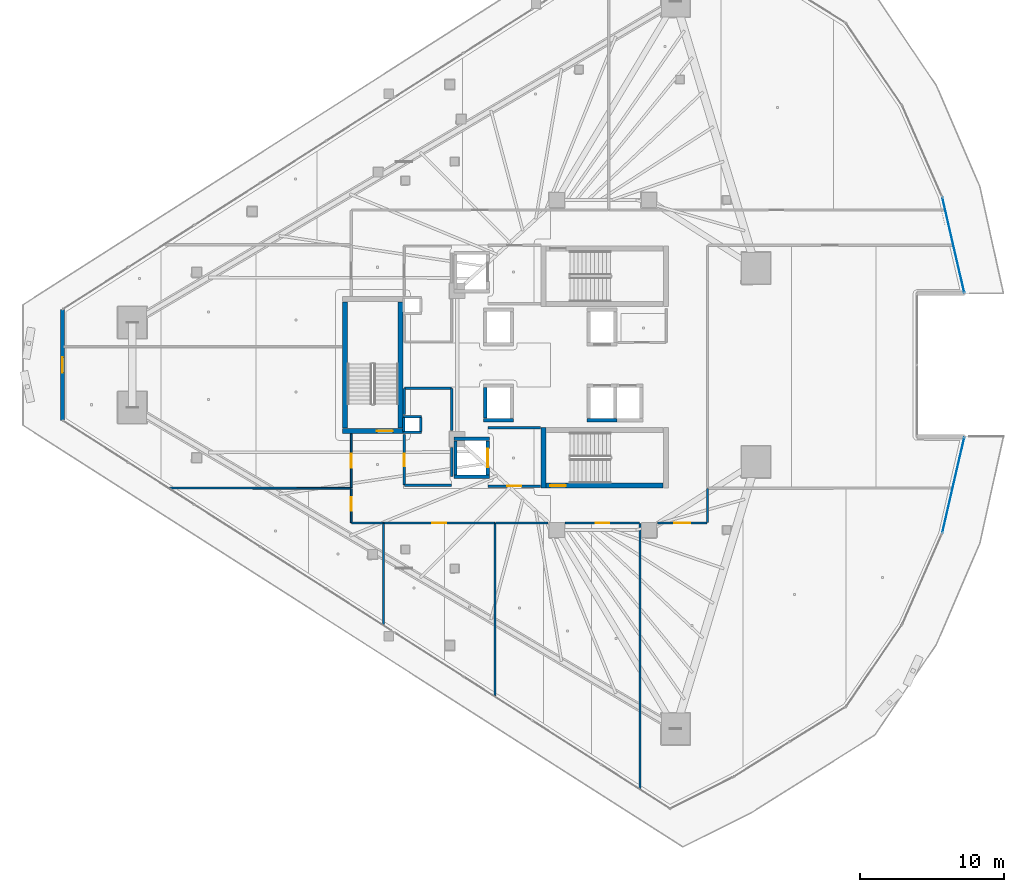
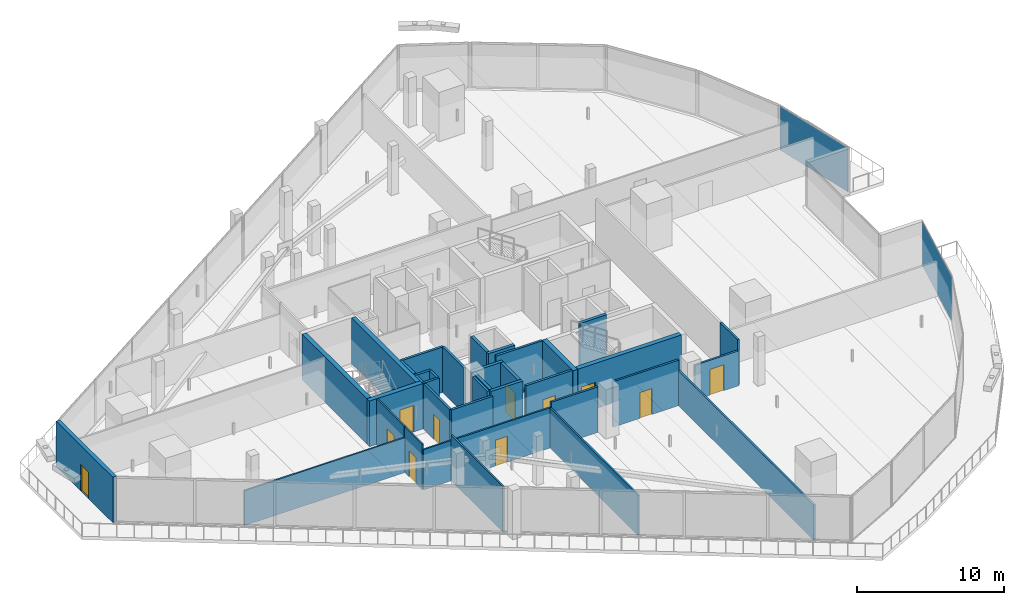
# One storey, part 30 of 45: 37 walls, 11 doors, 2 plates, 11 openings, 2 elements without a shape of their own.
"""IFC4 building model written with IfcOpenShell, lengths in metres."""

from ifc_helpers import new_model, si_unit, direction, frame, frame_2d, origin, origin_2d, place, context, subcontext, project, spatial, rectangle, extrude, material, layer, layer_set, type_object, element, fill, aggregate, save


model = new_model("IFC4")

# Units and contexts
model_context = context("Model", 3, precision=1e-05, world=origin(), true_north=direction((0.0, 1.0)))
body_context = subcontext(model_context, "Body", "Model", "MODEL_VIEW")
ifc_project = project(units=[si_unit("LENGTHUNIT", "METRE"), si_unit("AREAUNIT", "SQUARE_METRE"), si_unit("VOLUMEUNIT", "CUBIC_METRE"), si_unit("PLANEANGLEUNIT", "RADIAN"), si_unit("MASSUNIT", "GRAM", prefix="KILO")], contexts=[model_context])

# Site, building, storey
site_placement = place(None, origin())
site = spatial("IfcSite", under=ifc_project, at=site_placement, CompositionType="ELEMENT")
building_placement = place(site_placement, origin())
building = spatial("IfcBuilding", under=site, at=building_placement, Name="Qorvath Tower", CompositionType="ELEMENT")
storey_placement = place(building_placement, frame((0.0, 0.0, 126.0)))
storey = spatial("IfcBuildingStorey", under=building, at=storey_placement, Name="L28", CompositionType="ELEMENT", Elevation=126.0)

# Curtain wall, plate
ifc_material_1 = material(Name="Anodised aluminium and triple low-E glass", Category="aluminium")
ifc_layer_1 = layer(ifc_material_1, 0.179931640625)
ifc_layer_set_1 = layer_set([ifc_layer_1], Name="CW-SYS-2")
curtain_wall_type = type_object("IfcCurtainWallType", Name="CW-SYS-2", PredefinedType="NOTDEFINED", material=ifc_layer_set_1)
curtain_wall_1_placement = place(storey_placement, origin())
curtain_wall_1 = element("IfcCurtainWall", 1, at=curtain_wall_1_placement, inside=storey, type_object=curtain_wall_type, Name="Curtain Wall CW-2 CW-T-L28-7.1", PredefinedType="NOTDEFINED")
ifc_material_2 = material(Name="Low-E triple insulated glass", Category="glass")
ifc_layer_2 = layer(ifc_material_2, 0.031982421875)
ifc_layer_set_2 = layer_set([ifc_layer_2], Name="CWP-GLZ-32")
plate_type = type_object("IfcPlateType", Name="CWP-GLZ-32", PredefinedType="CURTAIN_PANEL", material=ifc_layer_set_2)
plate_1_placement = place(storey_placement, frame((3.921630859375, -8.330078125, 0.06494140625), z_axis=(0.0, 0.0, 1.0), x_axis=(0.225270080166, 0.974296356855, 0.0)))
plate_1 = element("IfcPlate", 2, at=plate_1_placement, type_object=plate_type, Name="CW-2 panel 1.1", PredefinedType="CURTAIN_PANEL", context=body_context, shape_type="SweptSolid", body=[
    extrude(rectangle(XDim=6.771484375, YDim=0.031982421875, at=origin_2d()), origin(), (0.0, 0.0, 1.0), 3.639892578125),
])
aggregate(curtain_wall_1, [plate_1])

curtain_wall_2_placement = place(storey_placement, origin())
curtain_wall_2 = element("IfcCurtainWall", 3, at=curtain_wall_2_placement, inside=storey, type_object=curtain_wall_type, Name="Curtain Wall CW-2 CW-T-L28-11.1", PredefinedType="NOTDEFINED")
plate_2_placement = place(storey_placement, frame((3.921630859375, 8.330078125, 0.06494140625), z_axis=(0.0, 0.0, 1.0), x_axis=(-0.225270080166, 0.974296356855, 0.0)))
plate_2 = element("IfcPlate", 4, at=plate_2_placement, type_object=plate_type, Name="CW-2 panel 1.1", PredefinedType="CURTAIN_PANEL", context=body_context, shape_type="SweptSolid", body=[
    extrude(rectangle(XDim=6.771484375, YDim=0.031982421875, at=origin_2d()), origin(), (0.0, 0.0, 1.0), 3.639892578125),
])
aggregate(curtain_wall_2, [plate_2])

# Walls
ifc_material_3 = material(Name="Gypsum shaftliner on steel studs", Category="steel")
ifc_layer_3 = layer(ifc_material_3, 0.179931640625)
ifc_layer_set_3 = layer_set([ifc_layer_3], Name="FW-LOBBY")
wall_type_1 = type_object("IfcWallType", Name="FW-LOBBY", PredefinedType="PARTITIONING", material=ifc_layer_set_3)
for number, where, z_axis, x_axis, name in (
    (5, (-32.989990234375, -4.675048828125, 0.0), (0.0, 0.0, 1.0), (-1.0, 0.0, 0.0), "MEP Riser Shaft Enclosure Wall S-L28-S"),
    (6, (-34.260009765625, -3.594970703125, 0.0), (0.0, 0.0, 1.0), (1.0, 0.0, 0.0), "MEP Riser Shaft Enclosure Wall S-L28-N"),
):
    element("IfcWall", number, at=place(storey_placement, frame(where, z_axis=z_axis, x_axis=x_axis)), inside=storey, type_object=wall_type_1, Name=name, PredefinedType="PARTITIONING", context=body_context, shape_type="SweptSolid", body=[
        extrude(rectangle(XDim=1.27001953125, YDim=0.179931640625, at=frame_2d((0.635009765625, 0.0))), origin(), (0.0, 0.0, 1.0), 3.77001953125),
    ])
for number, where, z_axis, x_axis, name in (
    (7, (-34.205078125, -4.610107421875, 0.0), (0.0, 0.0, 1.0), (0.0, 1.0, 0.0), "MEP Riser Shaft Enclosure Wall S-L28-W"),
    (8, (-33.044921875, -3.659912109375, 0.0), (0.0, 0.0, 1.0), (0.0, -1.0, 0.0), "MEP Riser Shaft Enclosure Wall S-L28-E"),
):
    element("IfcWall", number, at=place(storey_placement, frame(where, z_axis=z_axis, x_axis=x_axis)), inside=storey, type_object=wall_type_1, Name=name, PredefinedType="PARTITIONING", context=body_context, shape_type="SweptSolid", body=[
        extrude(rectangle(XDim=0.9501953125, YDim=0.179931640625, at=frame_2d((0.47509765625, 0.0))), origin(), (0.0, 0.0, 1.0), 3.77001953125),
    ])

# Wall, opening, door
wall_1_placement = place(storey_placement, frame((-28.35498046875, -8.39990234375, 0.0), z_axis=(0.0, 0.0, 1.0), x_axis=(1.0, 0.0, 0.0)))
wall_1 = element("IfcWall", 9, at=wall_1_placement, inside=storey, type_object=wall_type_1, Name="Interior Partition IW-T1-L28-003", PredefinedType="PARTITIONING", context=body_context, shape_type="SweptSolid", body=[
    extrude(rectangle(XDim=3.6220703125, YDim=0.179931640625, at=frame_2d((1.81103515625, 0.0))), origin(), (0.0, 0.0, 1.0), 3.77001953125),
])
opening_1_placement = place(wall_1_placement, frame((1.31103515625, 0.0, 0.0)))
opening_1 = element("IfcOpeningElement", 10, at=opening_1_placement, cuts=wall_1, Name="Opening D-T1-L28-14", PredefinedType="OPENING", context=body_context, shape_type="SweptSolid", body=[
    extrude(rectangle(XDim=1.0, YDim=2.14990234375, at=frame_2d((0.5, 1.074951171875))), frame((0.0, 0.10009765625, 0.0), z_axis=(0.0, -1.0, 0.0), x_axis=(1.0, 0.0, 0.0)), (0.0, 0.0, 1.0), 0.199951171875),
])
ifc_material_4 = material(Name="Painted galvanised hollow metal", Category="steel")
door_type_1 = type_object("IfcDoorType", Name="FD-60", OperationType="NOTDEFINED", PredefinedType="DOOR", material=ifc_material_4)
door_1_placement = place(opening_1_placement, origin())
door_1 = element("IfcDoor", 11, at=door_1_placement, inside=storey, type_object=door_type_1, Name="Lobby Fire Service Elevator South Door D-T1-L28-14", OperationType="SINGLE_SWING_RIGHT", OverallHeight=2.14990234375, OverallWidth=1.0, PredefinedType="DOOR", context=body_context, shape_type="SweptSolid", body=[
    extrude(rectangle(XDim=1.0, YDim=2.14990234375, at=frame_2d((0.5, 1.074951171875))), frame((0.0, 0.02490234375, 0.0), z_axis=(0.0, -1.0, 0.0), x_axis=(1.0, 0.0, 0.0)), (0.0, 0.0, 1.0), 0.050048828125),
])
fill(opening_1, door_1)

# Walls
wall_2_placement = place(storey_placement, frame((-24.73291015625, -4.35009765625, 0.0), z_axis=(0.0, 0.0, 1.0), x_axis=(-1.0, 0.0, 0.0)))
element("IfcWall", 12, at=wall_2_placement, inside=storey, type_object=wall_type_1, Name="Interior Partition IW-T1-L28-004", PredefinedType="PARTITIONING", context=body_context, shape_type="SweptSolid", body=[
    extrude(rectangle(XDim=3.6220703125, YDim=0.179931640625, at=frame_2d((1.81103515625, 0.0))), origin(), (0.0, 0.0, 1.0), 3.77001953125),
])
wall_3_placement = place(storey_placement, frame((-34.15478515625, -8.35009765625, 0.0), z_axis=(0.0, 0.0, 1.0), x_axis=(1.0, 0.0, 0.0)))
element("IfcWall", 13, at=wall_3_placement, inside=storey, type_object=wall_type_1, Name="Interior Partition IW-T1-L28-013", PredefinedType="PARTITIONING", context=body_context, shape_type="SweptSolid", body=[
    extrude(rectangle(XDim=3.25, YDim=0.179931640625, at=frame_2d((1.625, 0.0))), origin(), (0.0, 0.0, 1.0), 3.77001953125),
])
wall_4_placement = place(storey_placement, frame((-30.8798828125, -7.742919921875, 0.0), z_axis=(0.0, 0.0, 1.0), x_axis=(0.0, 1.0, 0.0)))
element("IfcWall", 14, at=wall_4_placement, inside=storey, type_object=wall_type_1, Name="Interior Partition IW-T1-L28-014", PredefinedType="PARTITIONING", context=body_context, shape_type="SweptSolid", body=[
    extrude(rectangle(XDim=2.0029296875, YDim=0.179931640625, at=frame_2d((1.00146484375, 0.0))), origin(), (0.0, 0.0, 1.0), 3.77001953125),
])
wall_5_placement = place(storey_placement, frame((-30.8798828125, -4.56005859375, 0.0), z_axis=(0.0, 0.0, 1.0), x_axis=(0.0, 1.0, 0.0)))
element("IfcWall", 15, at=wall_5_placement, inside=storey, type_object=wall_type_1, Name="Interior Partition IW-T1-L28-015", PredefinedType="PARTITIONING", context=body_context, shape_type="SweptSolid", body=[
    extrude(rectangle(XDim=2.93505859375, YDim=0.179931640625, at=frame_2d((1.467529296875, 0.0))), origin(), (0.0, 0.0, 1.0), 3.77001953125),
])
wall_6_placement = place(storey_placement, frame((-30.90478515625, -1.60009765625, 0.0), z_axis=(0.0, 0.0, 1.0), x_axis=(-1.0, 0.0, 0.0)))
element("IfcWall", 16, at=wall_6_placement, inside=storey, type_object=wall_type_1, Name="Interior Partition IW-T1-L28-016", PredefinedType="PARTITIONING", context=body_context, shape_type="SweptSolid", body=[
    extrude(rectangle(XDim=3.25, YDim=0.179931640625, at=frame_2d((1.625, 0.0))), origin(), (0.0, 0.0, 1.0), 3.77001953125),
])
wall_7_placement = place(storey_placement, frame((-34.179931640625, -1.625, 0.0), z_axis=(0.0, 0.0, 1.0), x_axis=(0.0, -1.0, 0.0)))
element("IfcWall", 17, at=wall_7_placement, inside=storey, type_object=wall_type_1, Name="Interior Partition IW-T1-L28-017", PredefinedType="PARTITIONING", context=body_context, shape_type="SweptSolid", body=[
    extrude(rectangle(XDim=1.804931640625, YDim=0.179931640625, at=frame_2d((0.90234375, 0.0))), origin(), (0.0, 0.0, 1.0), 3.77001953125),
])

# Wall, opening, door
wall_8_placement = place(storey_placement, frame((-34.179931640625, -4.840087890625, 0.0), z_axis=(0.0, 0.0, 1.0), x_axis=(0.0, -1.0, 0.0)))
wall_8 = element("IfcWall", 18, at=wall_8_placement, inside=storey, type_object=wall_type_1, Name="Interior Partition IW-T1-L28-018", PredefinedType="PARTITIONING", context=body_context, shape_type="SweptSolid", body=[
    extrude(rectangle(XDim=3.485107421875, YDim=0.179931640625, at=frame_2d((1.74267578125, 0.0))), origin(), (0.0, 0.0, 1.0), 3.77001953125),
])
opening_2_placement = place(wall_8_placement, frame((1.302490234375, 0.0, 0.0)))
opening_2 = element("IfcOpeningElement", 19, at=opening_2_placement, cuts=wall_8, Name="Opening D-T1-L28-03", PredefinedType="OPENING", context=body_context, shape_type="SweptSolid", body=[
    extrude(rectangle(XDim=0.8798828125, YDim=2.10009765625, at=frame_2d((0.43994140625, 1.050048828125))), frame((0.0, 0.10009765625, 0.0), z_axis=(0.0, -1.0, 0.0), x_axis=(1.0, 0.0, 0.0)), (0.0, 0.0, 1.0), 0.199951171875),
])
ifc_material_5 = material(Name="Painted galvanised hollow metal", Category="steel")
door_type_2 = type_object("IfcDoorType", Name="FD-60N", OperationType="NOTDEFINED", PredefinedType="DOOR", material=ifc_material_5)
door_2_placement = place(opening_2_placement, origin())
door_2 = element("IfcDoor", 20, at=door_2_placement, inside=storey, type_object=door_type_2, Name="Core electrical and cleaner room L28 Door D-T1-L28-03", OperationType="SINGLE_SWING_LEFT", OverallHeight=2.10009765625, OverallWidth=0.8798828125, PredefinedType="DOOR", context=body_context, shape_type="SweptSolid", body=[
    extrude(rectangle(XDim=0.8798828125, YDim=2.10009765625, at=frame_2d((0.43994140625, 1.050048828125))), frame((0.0, 0.02490234375, 0.0), z_axis=(0.0, -1.0, 0.0), x_axis=(1.0, 0.0, 0.0)), (0.0, 0.0, 1.0), 0.050048828125),
])
fill(opening_2, door_2)

# Walls
ifc_material_6 = material(Name="Double acoustic gypsum board on steel studs", Category="steel")
ifc_layer_4 = layer(ifc_material_6, 0.159912109375)
ifc_layer_set_4 = layer_set([ifc_layer_4], Name="IW-ACOUSTIC-160")
wall_type_2 = type_object("IfcWallType", Name="IW-ACOUSTIC-160", PredefinedType="PARTITIONING", material=ifc_layer_set_4)
wall_9_placement = place(storey_placement, frame((-24.18994140625, -10.9580078125, 0.0), z_axis=(0.0, 0.0, 1.0), x_axis=(-1.0, 0.0, 0.0)))
element("IfcWall", 21, at=wall_9_placement, inside=storey, type_object=wall_type_2, Name="Interior Partition IW-T1-L28-030", PredefinedType="PARTITIONING", context=body_context, shape_type="SweptSolid", body=[
    extrude(rectangle(XDim=3.65576171875, YDim=0.159912109375, at=frame_2d((1.827880859375, 0.0))), origin(), (0.0, 0.0, 1.0), 3.77001953125),
])
wall_10_placement = place(storey_placement, frame((-17.816162109375, -29.38037109375, 0.0), z_axis=(0.0, 0.0, 1.0), x_axis=(0.0, 1.0, 0.0)))
element("IfcWall", 22, at=wall_10_placement, inside=storey, type_object=wall_type_2, Name="Interior Partition IW-T1-L28-031", PredefinedType="PARTITIONING", context=body_context, shape_type="SweptSolid", body=[
    extrude(rectangle(XDim=18.3974609375, YDim=0.159912109375, at=frame_2d((9.19873046875, 0.0))), origin(), (0.0, 0.0, 1.0), 2.885009765625),
])

# Wall, opening, door
wall_11_placement = place(storey_placement, frame((-17.84130859375, -10.9580078125, 0.0), z_axis=(0.0, 0.0, 1.0), x_axis=(-1.0, 0.0, 0.0)))
wall_11 = element("IfcWall", 23, at=wall_11_placement, inside=storey, type_object=wall_type_2, Name="Interior Partition IW-T1-L28-032", PredefinedType="PARTITIONING", context=body_context, shape_type="SweptSolid", body=[
    extrude(rectangle(XDim=5.168701171875, YDim=0.159912109375, at=frame_2d((2.58447265625, 0.0))), origin(), (0.0, 0.0, 1.0), 3.77001953125),
])
opening_3_placement = place(wall_11_placement, frame((2.109375, 0.0, 0.0)))
opening_3 = element("IfcOpeningElement", 24, at=opening_3_placement, cuts=wall_11, Name="Opening D-T1-L28-08", PredefinedType="OPENING", context=body_context, shape_type="SweptSolid", body=[
    extrude(rectangle(XDim=0.949951171875, YDim=2.14990234375, at=frame_2d((0.47509765625, 1.074951171875))), frame((0.0, 0.08984375, 0.0), z_axis=(0.0, -1.0, 0.0), x_axis=(1.0, 0.0, 0.0)), (0.0, 0.0, 1.0), 0.179931640625),
])
ifc_material_7 = material(Name="Solid-core American white oak veneer", Category="wood")
door_type_3 = type_object("IfcDoorType", Name="D-01", OperationType="NOTDEFINED", PredefinedType="DOOR", material=ifc_material_7)
door_3_placement = place(opening_3_placement, origin())
door_3 = element("IfcDoor", 25, at=door_3_placement, inside=storey, type_object=door_type_3, Name="L28-05 Breakout Reading Alcove Door D-T1-L28-08", OperationType="SINGLE_SWING_RIGHT", OverallHeight=2.14990234375, OverallWidth=0.949951171875, PredefinedType="DOOR", context=body_context, shape_type="SweptSolid", body=[
    extrude(rectangle(XDim=0.949951171875, YDim=2.14990234375, at=frame_2d((0.47509765625, 1.074951171875))), frame((0.0, 0.02490234375, 0.0), z_axis=(0.0, -1.0, 0.0), x_axis=(1.0, 0.0, 0.0)), (0.0, 0.0, 1.0), 0.050048828125),
])
fill(opening_3, door_3)

# Wall
wall_12_placement = place(storey_placement, frame((-13.14208984375, -8.574951171875, 0.0), z_axis=(0.0, 0.0, 1.0), x_axis=(0.0, -1.0, 0.0)))
element("IfcWall", 26, at=wall_12_placement, inside=storey, type_object=wall_type_2, Name="Interior Partition IW-T1-L28-034", PredefinedType="PARTITIONING", context=body_context, shape_type="SweptSolid", body=[
    extrude(rectangle(XDim=2.358154296875, YDim=0.159912109375, at=frame_2d((1.17919921875, 0.0))), origin(), (0.0, 0.0, 1.0), 3.77001953125),
])

# Wall, opening, door
wall_13_placement = place(storey_placement, frame((-13.1669921875, -10.9580078125, 0.0), z_axis=(0.0, 0.0, 1.0), x_axis=(-1.0, 0.0, 0.0)))
wall_13 = element("IfcWall", 27, at=wall_13_placement, inside=storey, type_object=wall_type_2, Name="Interior Partition IW-T1-L28-035", PredefinedType="PARTITIONING", context=body_context, shape_type="SweptSolid", body=[
    extrude(rectangle(XDim=3.443115234375, YDim=0.159912109375, at=frame_2d((1.7216796875, 0.0))), origin(), (0.0, 0.0, 1.0), 2.885009765625),
])
opening_4_placement = place(wall_13_placement, frame((1.171630859375, 0.0, 0.0)))
opening_4 = element("IfcOpeningElement", 28, at=opening_4_placement, cuts=wall_13, Name="Opening D-T1-L28-09", PredefinedType="OPENING", context=body_context, shape_type="SweptSolid", body=[
    extrude(rectangle(XDim=1.10009765625, YDim=2.14990234375, at=frame_2d((0.550048828125, 1.074951171875))), frame((0.0, 0.08984375, 0.0), z_axis=(0.0, -1.0, 0.0), x_axis=(1.0, 0.0, 0.0)), (0.0, 0.0, 1.0), 0.179931640625),
])
ifc_material_8 = material(Name="Anodised aluminium acoustic framed glass", Category="aluminium")
door_type_4 = type_object("IfcDoorType", Name="D-03", OperationType="NOTDEFINED", PredefinedType="DOOR", material=ifc_material_8)
door_4_placement = place(opening_4_placement, origin())
door_4 = element("IfcDoor", 29, at=door_4_placement, inside=storey, type_object=door_type_4, Name="L28-06 Digital Visualization Suite Door D-T1-L28-09", OperationType="SINGLE_SWING_LEFT", OverallHeight=2.14990234375, OverallWidth=1.10009765625, PredefinedType="DOOR", context=body_context, shape_type="SweptSolid", body=[
    extrude(rectangle(XDim=1.10009765625, YDim=2.14990234375, at=frame_2d((0.550048828125, 1.074951171875))), frame((0.0, 0.02490234375, 0.0), z_axis=(0.0, -1.0, 0.0), x_axis=(1.0, 0.0, 0.0)), (0.0, 0.0, 1.0), 0.050048828125),
])
fill(opening_4, door_4)

# Wall
ifc_material_9 = material(Name="Gypsum board on metal studs with mineral wool", Category="gypsum")
ifc_layer_5 = layer(ifc_material_9, 0.125)
ifc_layer_set_5 = layer_set([ifc_layer_5], Name="IW-PART-125")
wall_type_3 = type_object("IfcWallType", Name="IW-PART-125", PredefinedType="PARTITIONING", material=ifc_layer_set_5)
wall_14_placement = place(storey_placement, frame((-35.640380859375, -10.9580078125, 0.0), z_axis=(0.0, 0.0, 1.0), x_axis=(-1.0, 0.0, 0.0)))
element("IfcWall", 30, at=wall_14_placement, inside=storey, type_object=wall_type_3, Name="Interior Partition IW-T1-L28-024", PredefinedType="PARTITIONING", context=body_context, shape_type="SweptSolid", body=[
    extrude(rectangle(XDim=2.192626953125, YDim=0.125, at=frame_2d((1.09619140625, 0.0))), origin(), (0.0, 0.0, 1.0), 3.333984375),
])

# Wall, opening, door
wall_15_placement = place(storey_placement, frame((-37.85791015625, -10.93310546875, 0.0), z_axis=(0.0, 0.0, 1.0), x_axis=(0.0, 1.0, 0.0)))
wall_15 = element("IfcWall", 31, at=wall_15_placement, inside=storey, type_object=wall_type_3, Name="Interior Partition IW-T1-L28-025", PredefinedType="PARTITIONING", context=body_context, shape_type="SweptSolid", body=[
    extrude(rectangle(XDim=2.358154296875, YDim=0.125, at=frame_2d((1.17919921875, 0.0))), origin(), (0.0, 0.0, 1.0), 3.77001953125),
])
opening_5_placement = place(wall_15_placement, frame((0.8046875, 0.0, 0.0)))
opening_5 = element("IfcOpeningElement", 32, at=opening_5_placement, cuts=wall_15, Name="Opening D-T1-L28-06", PredefinedType="OPENING", context=body_context, shape_type="SweptSolid", body=[
    extrude(rectangle(XDim=0.949951171875, YDim=2.14990234375, at=frame_2d((0.47509765625, 1.074951171875))), frame((0.0, 0.072509765625, 0.0), z_axis=(0.0, -1.0, 0.0), x_axis=(1.0, 0.0, 0.0)), (0.0, 0.0, 1.0), 0.14501953125),
])
door_5_placement = place(opening_5_placement, origin())
door_5 = element("IfcDoor", 33, at=door_5_placement, inside=storey, type_object=door_type_3, Name="L28-03 Design Pin-Up Atelier Door D-T1-L28-06", OperationType="SINGLE_SWING_RIGHT", OverallHeight=2.14990234375, OverallWidth=0.949951171875, PredefinedType="DOOR", context=body_context, shape_type="SweptSolid", body=[
    extrude(rectangle(XDim=0.949951171875, YDim=2.14990234375, at=frame_2d((0.47509765625, 1.074951171875))), frame((0.0, 0.02490234375, 0.0), z_axis=(0.0, -1.0, 0.0), x_axis=(1.0, 0.0, 0.0)), (0.0, 0.0, 1.0), 0.050048828125),
])
fill(opening_5, door_5)

# Walls
wall_16_placement = place(storey_placement, frame((-37.8828125, -8.550048828125, 0.0), z_axis=(0.0, 0.0, 1.0), x_axis=(-0.999999323514, 0.001163173127, 0.0)))
element("IfcWall", 34, at=wall_16_placement, inside=storey, type_object=wall_type_3, Name="Interior Partition IW-T1-L28-026", PredefinedType="PARTITIONING", context=body_context, shape_type="SweptSolid", body=[
    extrude(rectangle(XDim=12.593505859375, YDim=0.125, at=frame_2d((6.296875, 0.0))), origin(), (0.0, 0.0, 1.0), 2.889892578125),
])
wall_17_placement = place(storey_placement, frame((-35.615478515625, -18.00439453125, 0.0), z_axis=(0.0, 0.0, 1.0), x_axis=(0.0, 1.0, 0.0)))
element("IfcWall", 35, at=wall_17_placement, inside=storey, type_object=wall_type_3, Name="Interior Partition IW-T1-L28-027", PredefinedType="PARTITIONING", context=body_context, shape_type="SweptSolid", body=[
    extrude(rectangle(XDim=7.021484375, YDim=0.125, at=frame_2d((3.5107421875, 0.0))), origin(), (0.0, 0.0, 1.0), 3.77001953125),
])

# Wall, opening, door
wall_18_placement = place(storey_placement, frame((-27.90380859375, -10.9580078125, 0.0), z_axis=(0.0, 0.0, 1.0), x_axis=(-1.0, 0.0, 0.0)))
wall_18 = element("IfcWall", 36, at=wall_18_placement, inside=storey, type_object=wall_type_3, Name="Interior Partition IW-T1-L28-028", PredefinedType="PARTITIONING", context=body_context, shape_type="SweptSolid", body=[
    extrude(rectangle(XDim=7.678955078125, YDim=0.125, at=frame_2d((3.83935546875, 0.0))), origin(), (0.0, 0.0, 1.0), 3.333984375),
])
opening_6_placement = place(wall_18_placement, frame((3.364501953125, 0.0, 0.0)))
opening_6 = element("IfcOpeningElement", 37, at=opening_6_placement, cuts=wall_18, Name="Opening D-T1-L28-07", PredefinedType="OPENING", context=body_context, shape_type="SweptSolid", body=[
    extrude(rectangle(XDim=0.949951171875, YDim=2.14990234375, at=frame_2d((0.47509765625, 1.074951171875))), frame((0.0, 0.072509765625, 0.0), z_axis=(0.0, -1.0, 0.0), x_axis=(1.0, 0.0, 0.0)), (0.0, 0.0, 1.0), 0.14501953125),
])
door_6_placement = place(opening_6_placement, origin())
door_6 = element("IfcDoor", 38, at=door_6_placement, inside=storey, type_object=door_type_3, Name="L28-04 Executive Partner Office Door D-T1-L28-07", OperationType="SINGLE_SWING_LEFT", OverallHeight=2.14990234375, OverallWidth=0.949951171875, PredefinedType="DOOR", context=body_context, shape_type="SweptSolid", body=[
    extrude(rectangle(XDim=0.949951171875, YDim=2.14990234375, at=frame_2d((0.47509765625, 1.074951171875))), frame((0.0, 0.02490234375, 0.0), z_axis=(0.0, -1.0, 0.0), x_axis=(1.0, 0.0, 0.0)), (0.0, 0.0, 1.0), 0.050048828125),
])
fill(opening_6, door_6)

# Wall
wall_19_placement = place(storey_placement, frame((-27.878662109375, -22.94921875, 0.0), z_axis=(0.0, 0.0, 1.0), x_axis=(0.0, 1.0, 0.0)))
element("IfcWall", 39, at=wall_19_placement, inside=storey, type_object=wall_type_3, Name="Interior Partition IW-T1-L28-029", PredefinedType="PARTITIONING", context=body_context, shape_type="SweptSolid", body=[
    extrude(rectangle(XDim=11.96630859375, YDim=0.125, at=frame_2d((5.983154296875, 0.0))), origin(), (0.0, 0.0, 1.0), 3.333984375),
])

# Wall, opening, door
wall_20_placement = place(storey_placement, frame((-37.85791015625, -8.51708984375, 0.0), z_axis=(0.0, 0.0, 1.0), x_axis=(0.0, 1.0, 0.0)))
wall_20 = element("IfcWall", 40, at=wall_20_placement, inside=storey, type_object=wall_type_3, Name="Interior Partition IW-T1-L28-038", PredefinedType="PARTITIONING", context=body_context, shape_type="SweptSolid", body=[
    extrude(rectangle(XDim=3.73388671875, YDim=0.125, at=frame_2d((1.866943359375, 0.0))), origin(), (0.0, 0.0, 1.0), 3.77001953125),
])
opening_7_placement = place(wall_20_placement, frame((1.391845703125, 0.0, 0.0)))
opening_7 = element("IfcOpeningElement", 41, at=opening_7_placement, cuts=wall_20, Name="Opening D-T1-L28-11", PredefinedType="OPENING", context=body_context, shape_type="SweptSolid", body=[
    extrude(rectangle(XDim=0.949951171875, YDim=2.14990234375, at=frame_2d((0.47509765625, 1.074951171875))), frame((0.0, 0.072509765625, 0.0), z_axis=(0.0, -1.0, 0.0), x_axis=(1.0, 0.0, 0.0)), (0.0, 0.0, 1.0), 0.14501953125),
])
door_7_placement = place(opening_7_placement, origin())
door_7 = element("IfcDoor", 42, at=door_7_placement, inside=storey, type_object=door_type_3, Name="L28-08 Engineering Documentation Suite Door D-T1-L28-11", OperationType="SINGLE_SWING_LEFT", OverallHeight=2.14990234375, OverallWidth=0.949951171875, PredefinedType="DOOR", context=body_context, shape_type="SweptSolid", body=[
    extrude(rectangle(XDim=0.949951171875, YDim=2.14990234375, at=frame_2d((0.47509765625, 1.074951171875))), frame((0.0, 0.02490234375, 0.0), z_axis=(0.0, -1.0, 0.0), x_axis=(1.0, 0.0, 0.0)), (0.0, 0.0, 1.0), 0.050048828125),
])
fill(opening_7, door_7)

# Walls
ifc_material_10 = material(Name="Concrete C60/75", Category="concrete")
ifc_layer_6 = layer(ifc_material_10, 0.260009765625)
ifc_layer_set_6 = layer_set([ifc_layer_6], Name="SW-SHAFT")
wall_type_4 = type_object("IfcWallType", Name="SW-SHAFT", PredefinedType="SHEAR", material=ifc_layer_set_6)
for number, where, z_axis, x_axis, name in (
    (43, (-28.260009765625, -7.77001953125, 0.0), (0.0, 0.0, 1.0), (-1.0, 0.0, 0.0), "Hoistway Wall FSAE-2 L28 S"),
    (44, (-30.739990234375, -5.1298828125, 0.0), (0.0, 0.0, 1.0), (1.0, 0.0, 0.0), "Hoistway Wall FSAE-2 L28 N"),
):
    element("IfcWall", number, at=place(storey_placement, frame(where, z_axis=z_axis, x_axis=x_axis)), inside=storey, type_object=wall_type_4, Name=name, PredefinedType="SHEAR", context=body_context, shape_type="SweptSolid", body=[
        extrude(rectangle(XDim=2.47998046875, YDim=0.239990234375, at=frame_2d((1.239990234375, 0.0))), origin(), (0.0, 0.0, 1.0), 3.77001953125),
    ])
wall_21_placement = place(storey_placement, frame((-30.6201171875, -7.637939453125, 0.0), z_axis=(0.0, 0.0, 1.0), x_axis=(0.0, 1.0, 0.0)))
element("IfcWall", 45, at=wall_21_placement, inside=storey, type_object=wall_type_4, Name="Hoistway Wall FSAE-2 L28 W", PredefinedType="SHEAR", context=body_context, shape_type="SweptSolid", body=[
    extrude(rectangle(XDim=2.3759765625, YDim=0.239990234375, at=frame_2d((1.18798828125, 0.0))), origin(), (0.0, 0.0, 1.0), 3.77001953125),
])

# Wall, opening, door
wall_22_placement = place(storey_placement, frame((-28.3798828125, -5.261962890625, 0.0), z_axis=(0.0, 0.0, 1.0), x_axis=(0.0, -1.0, 0.0)))
wall_22 = element("IfcWall", 46, at=wall_22_placement, inside=storey, type_object=wall_type_4, Name="Hoistway Wall FSAE-2 L28 E", PredefinedType="SHEAR", context=body_context, shape_type="SweptSolid", body=[
    extrude(rectangle(XDim=2.3759765625, YDim=0.239990234375, at=frame_2d((1.18798828125, 0.0))), origin(), (0.0, 0.0, 1.0), 3.77001953125),
])
opening_8_placement = place(wall_22_placement, frame((0.5380859375, 0.0, 0.0)))
opening_8 = element("IfcOpeningElement", 47, at=opening_8_placement, cuts=wall_22, Name="Opening LD-FSAE-2-L28", PredefinedType="OPENING", context=body_context, shape_type="SweptSolid", body=[
    extrude(rectangle(XDim=1.300048828125, YDim=2.300048828125, at=frame_2d((0.64990234375, 1.14990234375))), frame((0.0, 0.1298828125, 0.0), z_axis=(0.0, -1.0, 0.0), x_axis=(1.0, 0.0, 0.0)), (0.0, 0.0, 1.0), 0.260009765625),
])
ifc_material_11 = material(Name="Brushed stainless steel AISI 316", Category="steel")
door_type_5 = type_object("IfcDoorType", Name="LD-02", OperationType="NOTDEFINED", PredefinedType="DOOR", material=ifc_material_11)
door_8_placement = place(opening_8_placement, origin())
door_8 = element("IfcDoor", 48, at=door_8_placement, inside=storey, type_object=door_type_5, Name="Elevator Landing Sliding Door LD-FSAE-2-L28", OperationType="DOUBLE_DOOR_SLIDING", OverallHeight=2.300048828125, OverallWidth=1.300048828125, PredefinedType="DOOR", context=body_context, shape_type="SweptSolid", body=[
    extrude(rectangle(XDim=1.300048828125, YDim=2.300048828125, at=frame_2d((0.64990234375, 1.14990234375))), frame((0.0, 0.02490234375, 0.0), z_axis=(0.0, -1.0, 0.0), x_axis=(1.0, 0.0, 0.0)), (0.0, 0.0, 1.0), 0.050048828125),
])
fill(opening_8, door_8)

# Walls
wall_23_placement = place(storey_placement, frame((-26.610107421875, -3.820068359375, 0.0), z_axis=(0.0, 0.0, 1.0), x_axis=(-1.0, 0.0, 0.0)))
element("IfcWall", 49, at=wall_23_placement, inside=storey, type_object=wall_type_4, Name="Hoistway Wall PS-2 L28 S", PredefinedType="SHEAR", context=body_context, shape_type="SweptSolid", body=[
    extrude(rectangle(XDim=2.079833984375, YDim=0.239990234375, at=frame_2d((1.0400390625, 0.0))), origin(), (0.0, 0.0, 1.0), 3.77001953125),
])
wall_24_placement = place(storey_placement, frame((-28.570068359375, -3.68798828125, 0.0), z_axis=(0.0, 0.0, 1.0), x_axis=(0.0, 1.0, 0.0)))
element("IfcWall", 50, at=wall_24_placement, inside=storey, type_object=wall_type_4, Name="Hoistway Wall PS-2 L28 W", PredefinedType="SHEAR", context=body_context, shape_type="SweptSolid", body=[
    extrude(rectangle(XDim=2.1259765625, YDim=0.239990234375, at=frame_2d((1.06298828125, 0.0))), origin(), (0.0, 0.0, 1.0), 3.77001953125),
])
wall_25_placement = place(storey_placement, frame((-19.409912109375, -3.820068359375, 0.0), z_axis=(0.0, 0.0, 1.0), x_axis=(-1.0, 0.0, 0.0)))
element("IfcWall", 51, at=wall_25_placement, inside=storey, type_object=wall_type_4, Name="Hoistway Wall PM-2 L28 S", PredefinedType="SHEAR", context=body_context, shape_type="SweptSolid", body=[
    extrude(rectangle(XDim=2.080078125, YDim=0.239990234375, at=frame_2d((1.0400390625, 0.0))), origin(), (0.0, 0.0, 1.0), 3.77001953125),
])
ifc_material_12 = material(Name="Concrete C60/75", Category="concrete")
ifc_layer_7 = layer(ifc_material_12, 0.35009765625)
ifc_layer_set_7 = layer_set([ifc_layer_7], Name="SW-STAIR")
wall_type_5 = type_object("IfcWallType", Name="SW-STAIR", PredefinedType="SHEAR", material=ifc_layer_set_7)
wall_26_placement = place(storey_placement, frame((-24.52490234375, -4.340087890625, 0.0), z_axis=(0.0, 0.0, 1.0), x_axis=(0.0, -1.0, 0.0)))
element("IfcWall", 52, at=wall_26_placement, inside=storey, type_object=wall_type_5, Name="Stair TS2 Shear Wall L28 NEAR", PredefinedType="SHEAR", context=body_context, shape_type="SweptSolid", body=[
    extrude(rectangle(XDim=4.2099609375, YDim=0.35009765625, at=frame_2d((2.10498046875, 0.0))), origin(), (0.0, 0.0, 1.0), 3.77001953125),
])

# Wall, opening, door
wall_27_placement = place(storey_placement, frame((-24.3349609375, -8.375, 0.0), z_axis=(0.0, 0.0, 1.0), x_axis=(1.0, 0.0, 0.0)))
wall_27 = element("IfcWall", 53, at=wall_27_placement, inside=storey, type_object=wall_type_5, Name="Stair TS2 Shear Wall L28 LEFT", PredefinedType="SHEAR", context=body_context, shape_type="SweptSolid", body=[
    extrude(rectangle(XDim=8.119873046875, YDim=0.35009765625, at=frame_2d((4.06005859375, 0.0))), origin(), (0.0, 0.0, 1.0), 3.77001953125),
])
opening_9_placement = place(wall_27_placement, frame((0.280029296875, 0.0, 0.0)))
opening_9 = element("IfcOpeningElement", 54, at=opening_9_placement, cuts=wall_27, Name="Opening D-TS2-L28", PredefinedType="OPENING", context=body_context, shape_type="SweptSolid", body=[
    extrude(rectangle(XDim=1.10009765625, YDim=2.199951171875, at=frame_2d((0.550048828125, 1.10009765625))), frame((0.0, 0.18505859375, 0.0), z_axis=(0.0, -1.0, 0.0), x_axis=(1.0, 0.0, 0.0)), (0.0, 0.0, 1.0), 0.3701171875),
])
ifc_material_13 = material(Name="Painted galvanised hollow metal", Category="steel")
door_type_6 = type_object("IfcDoorType", Name="FD-90", OperationType="NOTDEFINED", PredefinedType="DOOR", material=ifc_material_13)
door_9_placement = place(opening_9_placement, origin())
door_9 = element("IfcDoor", 55, at=door_9_placement, inside=storey, type_object=door_type_6, Name="Stair TS2 Fire Door L28", OperationType="SINGLE_SWING_LEFT", OverallHeight=2.199951171875, OverallWidth=1.10009765625, PredefinedType="DOOR", context=body_context, shape_type="SweptSolid", body=[
    extrude(rectangle(XDim=1.10009765625, YDim=2.199951171875, at=frame_2d((0.550048828125, 1.10009765625))), frame((0.0, 0.02490234375, 0.0), z_axis=(0.0, -1.0, 0.0), x_axis=(1.0, 0.0, 0.0)), (0.0, 0.0, 1.0), 0.050048828125),
])
fill(opening_9, door_9)

wall_28_placement = place(storey_placement, frame((-38.4599609375, -4.574951171875, 0.0), z_axis=(0.0, 0.0, 1.0), x_axis=(1.0, 0.0, 0.0)))
wall_28 = element("IfcWall", 56, at=wall_28_placement, inside=storey, type_object=wall_type_5, Name="Stair TS3 Shear Wall L28 NEAR", PredefinedType="SHEAR", context=body_context, shape_type="SweptSolid", body=[
    extrude(rectangle(XDim=4.2099609375, YDim=0.35009765625, at=frame_2d((2.10498046875, 0.0))), origin(), (0.0, 0.0, 1.0), 3.77001953125),
])
opening_10_placement = place(wall_28_placement, frame((2.389892578125, 0.0, 0.0)))
opening_10 = element("IfcOpeningElement", 57, at=opening_10_placement, cuts=wall_28, Name="Opening D-TS3-L28", PredefinedType="OPENING", context=body_context, shape_type="SweptSolid", body=[
    extrude(rectangle(XDim=1.10009765625, YDim=2.199951171875, at=frame_2d((0.550048828125, 1.10009765625))), frame((0.0, 0.18505859375, 0.0), z_axis=(0.0, -1.0, 0.0), x_axis=(1.0, 0.0, 0.0)), (0.0, 0.0, 1.0), 0.3701171875),
])
door_10_placement = place(opening_10_placement, origin())
door_10 = element("IfcDoor", 58, at=door_10_placement, inside=storey, type_object=door_type_6, Name="Stair TS3 Fire Door L28", OperationType="SINGLE_SWING_LEFT", OverallHeight=2.199951171875, OverallWidth=1.10009765625, PredefinedType="DOOR", context=body_context, shape_type="SweptSolid", body=[
    extrude(rectangle(XDim=1.10009765625, YDim=2.199951171875, at=frame_2d((0.550048828125, 1.10009765625))), frame((0.0, 0.02490234375, 0.0), z_axis=(0.0, -1.0, 0.0), x_axis=(1.0, 0.0, 0.0)), (0.0, 0.0, 1.0), 0.050048828125),
])
fill(opening_10, door_10)

# Walls
for number, where, z_axis, x_axis, name in (
    (59, (-34.425048828125, -4.385009765625, 0.0), (0.0, 0.0, 1.0), (0.0, 1.0, 0.0), "Stair TS3 Shear Wall L28 LEFT"),
    (60, (-38.284912109375, 4.385009765625, 0.0), (0.0, 0.0, 1.0), (0.0, -1.0, 0.0), "Stair TS3 Shear Wall L28 RIGHT"),
):
    element("IfcWall", number, at=place(storey_placement, frame(where, z_axis=z_axis, x_axis=x_axis)), inside=storey, type_object=wall_type_5, Name=name, PredefinedType="SHEAR", context=body_context, shape_type="SweptSolid", body=[
        extrude(rectangle(XDim=8.77001953125, YDim=0.35009765625, at=frame_2d((4.385009765625, 0.0))), origin(), (0.0, 0.0, 1.0), 3.77001953125),
    ])

# Wall, opening, door
ifc_material_14 = material(Name="Precast concrete C45/55", Category="concrete")
ifc_layer_8 = layer(ifc_material_14, 0.300048828125)
ifc_layer_set_8 = layer_set([ifc_layer_8], Name="WL-EW-LOG-300")
wall_type_6 = type_object("IfcWallType", Name="WL-EW-LOG-300", PredefinedType="SOLIDWALL", material=ifc_layer_set_8)
wall_29_placement = place(storey_placement, frame((-57.88916015625, -3.8486328125, 0.0), z_axis=(0.0, 0.0, 1.0), x_axis=(0.0, 1.0, 0.0)))
wall_29 = element("IfcWall", 61, at=wall_29_placement, inside=storey, type_object=wall_type_6, Name="Tower Precast Loggia Wall L28-1.1", PredefinedType="SOLIDWALL", context=body_context, shape_type="SweptSolid", body=[
    extrude(rectangle(XDim=7.697265625, YDim=0.300048828125, at=frame_2d((3.8486328125, 0.0))), origin(), (0.0, 0.0, 1.0), 3.77001953125),
])
opening_11_placement = place(wall_29_placement, frame((3.323486328125, 0.0, 0.0)))
opening_11 = element("IfcOpeningElement", 62, at=opening_11_placement, cuts=wall_29, Name="Opening ED-L28-01", PredefinedType="OPENING", context=body_context, shape_type="SweptSolid", body=[
    extrude(rectangle(XDim=1.050048828125, YDim=2.199951171875, at=frame_2d((0.52490234375, 1.10009765625))), frame((0.0, 0.16015625, 0.0), z_axis=(0.0, -1.0, 0.0), x_axis=(1.0, 0.0, 0.0)), (0.0, 0.0, 1.0), 0.320068359375),
])
ifc_material_15 = material(Name="Thermally broken aluminium glazed door", Category="aluminium")
door_type_7 = type_object("IfcDoorType", Name="ED-LOG", OperationType="NOTDEFINED", PredefinedType="DOOR", material=ifc_material_15)
door_11_placement = place(opening_11_placement, origin())
door_11 = element("IfcDoor", 63, at=door_11_placement, inside=storey, type_object=door_type_7, Name="L28 Recessed Loggia Access Door 1", OperationType="SINGLE_SWING_RIGHT", OverallHeight=2.199951171875, OverallWidth=1.050048828125, PredefinedType="DOOR", context=body_context, shape_type="SweptSolid", body=[
    extrude(rectangle(XDim=1.050048828125, YDim=2.199951171875, at=frame_2d((0.52490234375, 1.10009765625))), frame((0.0, 0.02490234375, 0.0), z_axis=(0.0, -1.0, 0.0), x_axis=(1.0, 0.0, 0.0)), (0.0, 0.0, 1.0), 0.050048828125),
])
fill(opening_11, door_11)

save(model, "model.ifc")
